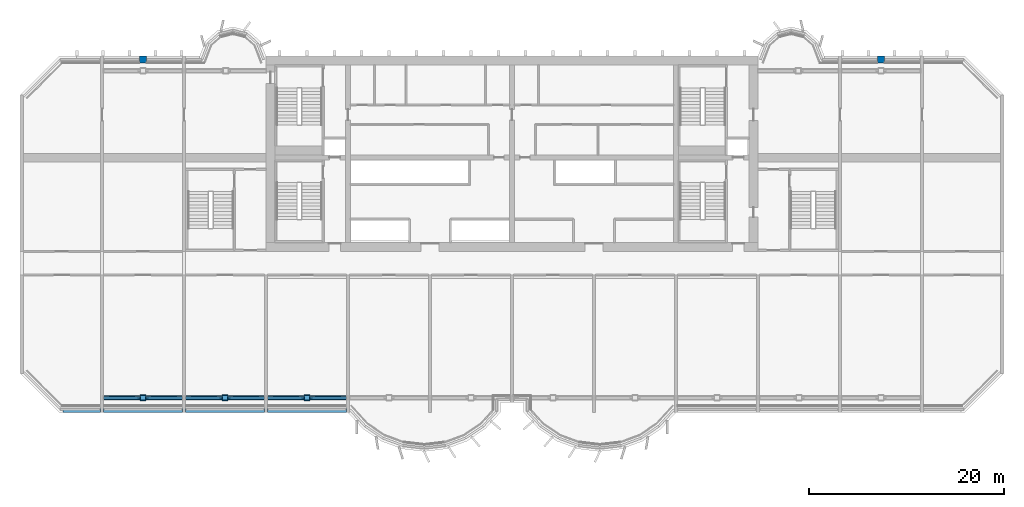
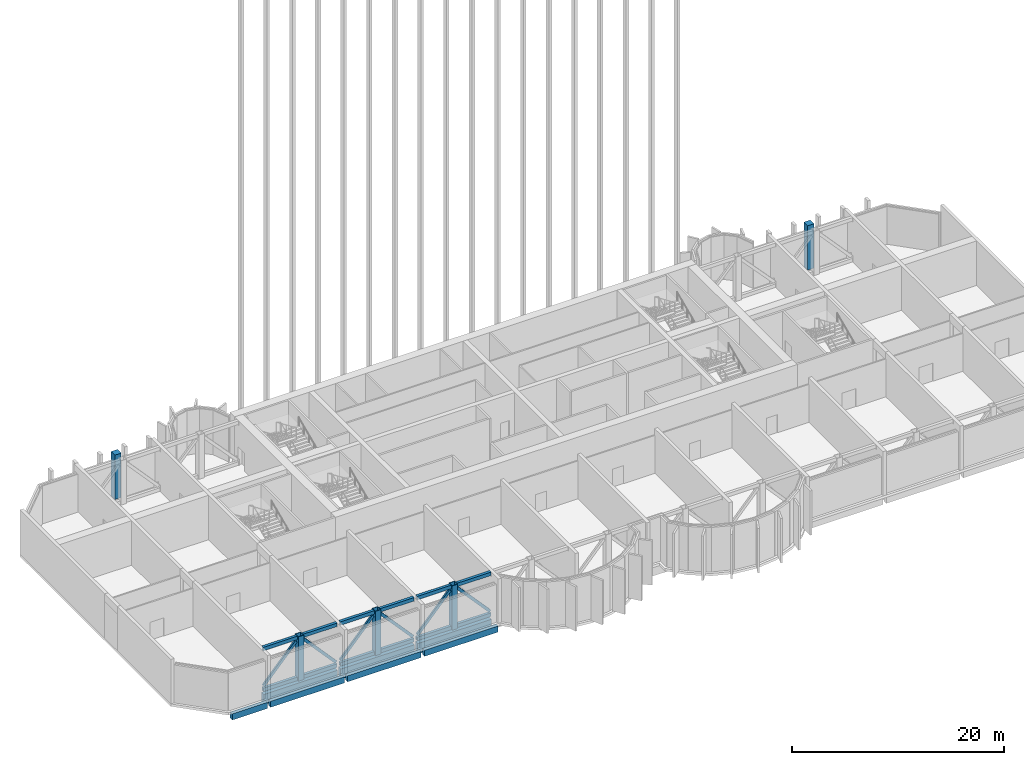
# One storey, part 1 of 17: 21 members, 7 beams, 2 columns.
"""IFC4 building model written with IfcOpenShell, lengths in metres."""

from ifc_helpers import new_model, si_unit, direction, frame, origin, origin_2d, place, context, subcontext, project, spatial, rectangle, hollow_rectangle, extrude, source, transform, mapped, material, material_profile, profile_set, type_object, element, save


model = new_model("IFC4")

# Units and contexts
model_context = context("Model", 3, precision=1e-05, world=origin(), true_north=direction((0.0, 1.0)))
body_context = subcontext(model_context, "Body", "Model", "MODEL_VIEW")
ifc_project = project(units=[si_unit("LENGTHUNIT", "METRE"), si_unit("AREAUNIT", "SQUARE_METRE"), si_unit("VOLUMEUNIT", "CUBIC_METRE"), si_unit("PLANEANGLEUNIT", "RADIAN"), si_unit("MASSUNIT", "GRAM", prefix="KILO")], contexts=[model_context])

# Site, building, storey
site_placement = place(None, origin())
site = spatial("IfcSite", under=ifc_project, at=site_placement, CompositionType="ELEMENT")
building_placement = place(site_placement, origin())
building = spatial("IfcBuilding", under=site, at=building_placement, Name="Vanashikhar Sky Hotel", CompositionType="ELEMENT")
storey_placement = place(building_placement, frame((0.0, 0.0, 140.800048828125)))
storey = spatial("IfcBuildingStorey", under=building, at=storey_placement, Name="L34", CompositionType="ELEMENT", Elevation=140.800048828125)

# Columns
ifc_material_1 = material(Name="Concrete M60", Category="concrete")
ifc_material_profile_1 = material_profile(ifc_material_1, rectangle(XDim=0.699951171875, YDim=0.699951171875, at=origin_2d()))
ifc_profile_set_1 = profile_set([ifc_material_profile_1], Name="RC 700x700 column Concrete M60")
column_type = type_object("IfcColumnType", Name="RC 700x700 column Concrete M60", PredefinedType="COLUMN", material=ifc_profile_set_1)
shared_shape_1 = source(origin(), body_context, "Body", "SweptSolid", [
    extrude(rectangle(XDim=0.699951171875, YDim=0.699951171875, at=origin_2d()), origin(), (0.0, 0.0, 1.0), 5.119873046875),
])
for number, where, z_axis, x_axis, name in (
    (1, (12.60009765625, 41.64990234375, 0.0), (0.0, 0.0, 1.0), (1.0, 0.0, 0.0), "CL-L34-CR02"),
    (2, (88.199951171875, 41.64990234375, 0.0), (0.0, 0.0, 1.0), (1.0, 0.0, 0.0), "CL-L34-CR11"),
):
    element("IfcColumn", number, at=place(storey_placement, frame(where, z_axis=z_axis, x_axis=x_axis)), inside=storey, type_object=column_type, Name=name, PredefinedType="COLUMN", context=body_context, shape_type="MappedRepresentation", body=[
        mapped(shared_shape_1, transform((0.0, 0.0, 0.0), scale=1.0)),
    ])

# Beams
ifc_material_2 = material(Name="Concrete M50", Category="concrete")
ifc_material_profile_2 = material_profile(ifc_material_2, rectangle(XDim=0.39990234375, YDim=0.699951171875, at=origin_2d()))
ifc_profile_set_2 = profile_set([ifc_material_profile_2], Name="RC 400x700 beam Concrete M50")
beam_type_1 = type_object("IfcBeamType", Name="RC 400x700 beam Concrete M50", PredefinedType="SPANDREL", material=ifc_profile_set_2)
shared_shape_2 = source(origin(), body_context, "Body", "SweptSolid", [
    extrude(rectangle(XDim=0.39990234375, YDim=0.699951171875, at=origin_2d()), origin(), (0.0, 0.0, 1.0), 8.050048828125),
])
for number, where, z_axis, x_axis, name in (
    (3, (8.574951171875, 5.699951171875, -0.630126953125), (1.0, 0.0, 0.0), (0.0, 1.0, 0.0), "EB-L34-F01"),
    (4, (25.375, 5.699951171875, -0.630126953125), (1.0, 0.0, 0.0), (0.0, 1.0, 0.0), "EB-L34-F03"),
):
    element("IfcBeam", number, at=place(storey_placement, frame(where, z_axis=z_axis, x_axis=x_axis)), inside=storey, type_object=beam_type_1, Name=name, PredefinedType="SPANDREL", context=body_context, shape_type="MappedRepresentation", body=[
        mapped(shared_shape_2, transform((0.0, 0.0, 0.0), scale=1.0)),
    ])
shared_shape_3 = source(origin(), body_context, "Body", "SweptSolid", [
    extrude(rectangle(XDim=0.39990234375, YDim=0.699951171875, at=origin_2d()), origin(), (0.0, 0.0, 1.0), 8.0498046875),
])
beam_1_placement = place(storey_placement, frame((16.97509765625, 5.699951171875, -0.630126953125), z_axis=(1.0, 0.0, 0.0), x_axis=(0.0, 1.0, 0.0)))
element("IfcBeam", 5, at=beam_1_placement, inside=storey, type_object=beam_type_1, Name="EB-L34-F02", PredefinedType="SPANDREL", context=body_context, shape_type="MappedRepresentation", body=[
    mapped(shared_shape_3, transform((0.0, 0.0, 0.0), scale=1.0)),
])
ifc_material_profile_3 = material_profile(ifc_material_2, rectangle(XDim=0.39990234375, YDim=0.699951171875, at=origin_2d()))
ifc_profile_set_3 = profile_set([ifc_material_profile_3], Name="RC 400x700 cantilever beam Concrete M50")
beam_type_2 = type_object("IfcBeamType", Name="RC 400x700 cantilever beam Concrete M50", PredefinedType="SPANDREL", material=ifc_profile_set_3)
shared_shape_4 = source(origin(), body_context, "Body", "SweptSolid", [
    extrude(rectangle(XDim=0.39990234375, YDim=0.699951171875, at=origin_2d()), origin(), (0.0, 0.0, 1.0), 3.8251953125),
])
beam_2_placement = place(storey_placement, frame((4.39990234375, 5.699951171875, -0.630126953125), z_axis=(1.0, 0.0, 0.0), x_axis=(0.0, 1.0, 0.0)))
element("IfcBeam", 6, at=beam_2_placement, inside=storey, type_object=beam_type_2, Name="EB-L34-F04", PredefinedType="SPANDREL", context=body_context, shape_type="MappedRepresentation", body=[
    mapped(shared_shape_4, transform((0.0, 0.0, 0.0), scale=1.0)),
])
ifc_material_profile_4 = material_profile(ifc_material_2, rectangle(XDim=0.449951171875, YDim=1.199951171875, at=origin_2d()))
ifc_profile_set_4 = profile_set([ifc_material_profile_4], Name="RC 450x1200 beam Concrete M50")
beam_type_3 = type_object("IfcBeamType", Name="RC 450x1200 beam Concrete M50", PredefinedType="BEAM", material=ifc_profile_set_4)
shared_shape_5 = source(origin(), body_context, "Body", "SweptSolid", [
    extrude(rectangle(XDim=0.449951171875, YDim=1.199951171875, at=origin_2d()), origin(), (0.0, 0.0, 1.0), 8.050048828125),
])
for number, where, z_axis, x_axis, name in (
    (7, (8.574951171875, 7.0, -0.880126953125), (1.0, 0.0, 0.0), (0.0, 1.0, 0.0), "TG-L34-F01"),
    (8, (25.375, 7.0, -0.880126953125), (1.0, 0.0, 0.0), (0.0, 1.0, 0.0), "TG-L34-F03"),
):
    element("IfcBeam", number, at=place(storey_placement, frame(where, z_axis=z_axis, x_axis=x_axis)), inside=storey, type_object=beam_type_3, Name=name, PredefinedType="BEAM", context=body_context, shape_type="MappedRepresentation", body=[
        mapped(shared_shape_5, transform((0.0, 0.0, 0.0), scale=1.0)),
    ])

# Members
ifc_material_3 = material(Name="Steel S355", Category="steel")
ifc_material_profile_5 = material_profile(ifc_material_3, hollow_rectangle(XDim=0.60009765625, YDim=0.60009765625, WallThickness=0.030029296875, at=origin_2d()))
ifc_profile_set_5 = profile_set([ifc_material_profile_5], Name="RHS 600x600x30 Steel S355")
member_type_1 = type_object("IfcMemberType", Name="RHS 600x600x30 Steel S355", PredefinedType="POST", material=ifc_profile_set_5)
shared_shape_6 = source(origin(), body_context, "Body", "SweptSolid", [
    extrude(hollow_rectangle(XDim=0.60009765625, YDim=0.60009765625, WallThickness=0.030029296875, at=origin_2d()), origin(), (0.0, 0.0, 1.0), 5.119873046875),
])
for number, where, z_axis, x_axis, name in (
    (9, (12.60009765625, 7.0, 0.0), (0.0, 0.0, 1.0), (1.0, 0.0, 0.0), "BP-L34-F01"),
    (10, (21.0, 7.0, 0.0), (0.0, 0.0, 1.0), (1.0, 0.0, 0.0), "BP-L34-F02"),
    (11, (29.39990234375, 7.0, 0.0), (0.0, 0.0, 1.0), (1.0, 0.0, 0.0), "BP-L34-F03"),
):
    element("IfcMember", number, at=place(storey_placement, frame(where, z_axis=z_axis, x_axis=x_axis)), inside=storey, type_object=member_type_1, Name=name, PredefinedType="POST", context=body_context, shape_type="MappedRepresentation", body=[
        mapped(shared_shape_6, transform((0.0, 0.0, 0.0), scale=1.0)),
    ])
ifc_material_profile_6 = material_profile(ifc_material_3, hollow_rectangle(XDim=0.300048828125, YDim=0.39990234375, WallThickness=0.01611328125, at=origin_2d()))
ifc_profile_set_6 = profile_set([ifc_material_profile_6], Name="RHS 400x300x16 Steel S355")
member_type_2 = type_object("IfcMemberType", Name="RHS 400x300x16 Steel S355", PredefinedType="CHORD", material=ifc_profile_set_6)
shared_shape_7 = source(origin(), body_context, "Body", "SweptSolid", [
    extrude(hollow_rectangle(XDim=0.300048828125, YDim=0.39990234375, WallThickness=0.01611328125, at=origin_2d()), origin(), (0.0, 0.0, 1.0), 3.72509765625),
])
for number, where, z_axis, x_axis, name in (
    (12, (8.574951171875, 7.0, 0.199951171875), (1.0, 0.0, 0.0), (0.0, 1.0, 0.0), "BC-L34-F01BL"),
    (13, (12.89990234375, 7.0, 0.199951171875), (1.0, 0.0, 0.0), (0.0, 1.0, 0.0), "BC-L34-F01BR"),
    (14, (8.574951171875, 7.0, 4.919921875), (1.0, 0.0, 0.0), (0.0, 1.0, 0.0), "BC-L34-F01TL"),
    (15, (12.89990234375, 7.0, 4.919921875), (1.0, 0.0, 0.0), (0.0, 1.0, 0.0), "BC-L34-F01TR"),
    (16, (25.375, 7.0, 0.199951171875), (1.0, 0.0, 0.0), (0.0, 1.0, 0.0), "BC-L34-F03BL"),
    (17, (29.699951171875, 7.0, 0.199951171875), (1.0, 0.0, 0.0), (0.0, 1.0, 0.0), "BC-L34-F03BR"),
    (18, (25.375, 7.0, 4.919921875), (1.0, 0.0, 0.0), (0.0, 1.0, 0.0), "BC-L34-F03TL"),
    (19, (29.699951171875, 7.0, 4.919921875), (1.0, 0.0, 0.0), (0.0, 1.0, 0.0), "BC-L34-F03TR"),
):
    element("IfcMember", number, at=place(storey_placement, frame(where, z_axis=z_axis, x_axis=x_axis)), inside=storey, type_object=member_type_2, Name=name, PredefinedType="CHORD", context=body_context, shape_type="MappedRepresentation", body=[
        mapped(shared_shape_7, transform((0.0, 0.0, 0.0), scale=1.0)),
    ])
ifc_material_profile_7 = material_profile(ifc_material_3, hollow_rectangle(XDim=0.199951171875, YDim=0.300048828125, WallThickness=0.011962890625, at=origin_2d()))
ifc_profile_set_7 = profile_set([ifc_material_profile_7], Name="RHS 300x200x12 Steel S355")
member_type_3 = type_object("IfcMemberType", Name="RHS 300x200x12 Steel S355", PredefinedType="BRACE", material=ifc_profile_set_7)
shared_shape_8 = source(origin(), body_context, "Body", "SweptSolid", [
    extrude(hollow_rectangle(XDim=0.199951171875, YDim=0.300048828125, WallThickness=0.011962890625, at=origin_2d()), origin(), (0.0, 0.0, 1.0), 5.285400390625),
])
for number, where, z_axis, x_axis, name in (
    (20, (8.6650390625, 7.0, 0.599853515625), (0.670716146673, 0.0, 0.741714129967), (0.0, 1.0, 0.0), "BD-L34-F01L"),
    (21, (16.534912109375, 7.0, 0.599853515625), (-0.670716146673, 0.0, 0.741714129967), (0.0, -1.0, 0.0), "BD-L34-F01R"),
    (22, (25.465087890625, 7.0, 0.599853515625), (0.670716146673, 0.0, 0.741714129967), (0.0, 1.0, 0.0), "BD-L34-F03L"),
    (23, (33.3349609375, 7.0, 0.599853515625), (-0.670716146673, 0.0, 0.741714129967), (0.0, -1.0, 0.0), "BD-L34-F03R"),
):
    element("IfcMember", number, at=place(storey_placement, frame(where, z_axis=z_axis, x_axis=x_axis)), inside=storey, type_object=member_type_3, Name=name, PredefinedType="BRACE", context=body_context, shape_type="MappedRepresentation", body=[
        mapped(shared_shape_8, transform((0.0, 0.0, 0.0), scale=1.0)),
    ])

# Beam
shared_shape_9 = source(origin(), body_context, "Body", "SweptSolid", [
    extrude(rectangle(XDim=0.449951171875, YDim=1.199951171875, at=origin_2d()), origin(), (0.0, 0.0, 1.0), 8.0498046875),
])
beam_3_placement = place(storey_placement, frame((16.97509765625, 7.0, -0.880126953125), z_axis=(1.0, 0.0, 0.0), x_axis=(0.0, 1.0, 0.0)))
element("IfcBeam", 24, at=beam_3_placement, inside=storey, type_object=beam_type_3, Name="TG-L34-F02", PredefinedType="BEAM", context=body_context, shape_type="MappedRepresentation", body=[
    mapped(shared_shape_9, transform((0.0, 0.0, 0.0), scale=1.0)),
])

# Members
shared_shape_10 = source(origin(), body_context, "Body", "SweptSolid", [
    extrude(hollow_rectangle(XDim=0.300048828125, YDim=0.39990234375, WallThickness=0.01611328125, at=origin_2d()), origin(), (0.0, 0.0, 1.0), 3.724853515625),
])
for number, where, z_axis, x_axis, name in (
    (25, (16.97509765625, 7.0, 0.199951171875), (1.0, 0.0, 0.0), (0.0, 1.0, 0.0), "BC-L34-F02BL"),
    (26, (21.300048828125, 7.0, 0.199951171875), (1.0, 0.0, 0.0), (0.0, 1.0, 0.0), "BC-L34-F02BR"),
    (27, (16.97509765625, 7.0, 4.919921875), (1.0, 0.0, 0.0), (0.0, 1.0, 0.0), "BC-L34-F02TL"),
    (28, (21.300048828125, 7.0, 4.919921875), (1.0, 0.0, 0.0), (0.0, 1.0, 0.0), "BC-L34-F02TR"),
):
    element("IfcMember", number, at=place(storey_placement, frame(where, z_axis=z_axis, x_axis=x_axis)), inside=storey, type_object=member_type_2, Name=name, PredefinedType="CHORD", context=body_context, shape_type="MappedRepresentation", body=[
        mapped(shared_shape_10, transform((0.0, 0.0, 0.0), scale=1.0)),
    ])
shared_shape_11 = source(origin(), body_context, "Body", "SweptSolid", [
    extrude(hollow_rectangle(XDim=0.199951171875, YDim=0.300048828125, WallThickness=0.011962890625, at=origin_2d()), origin(), (0.0, 0.0, 1.0), 5.285400390625),
])
for number, where, z_axis, x_axis, name in (
    (29, (17.06494140625, 7.0, 0.599853515625), (0.670741557866, 0.0, 0.741691150379), (0.0, 1.0, 0.0), "BD-L34-F02L"),
    (30, (24.93505859375, 7.0, 0.599853515625), (-0.670741557866, 0.0, 0.741691150379), (0.0, -1.0, 0.0), "BD-L34-F02R"),
):
    element("IfcMember", number, at=place(storey_placement, frame(where, z_axis=z_axis, x_axis=x_axis)), inside=storey, type_object=member_type_3, Name=name, PredefinedType="BRACE", context=body_context, shape_type="MappedRepresentation", body=[
        mapped(shared_shape_11, transform((0.0, 0.0, 0.0), scale=1.0)),
    ])

save(model, "model.ifc")
